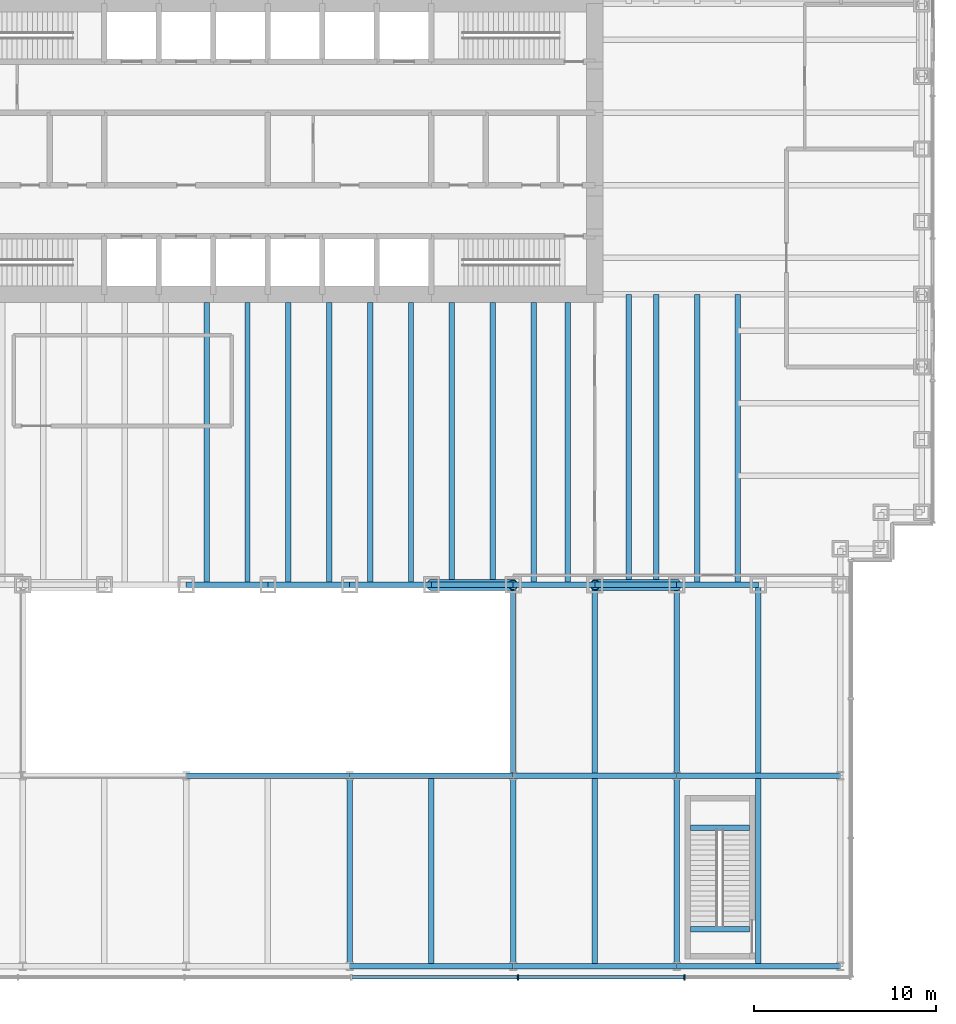
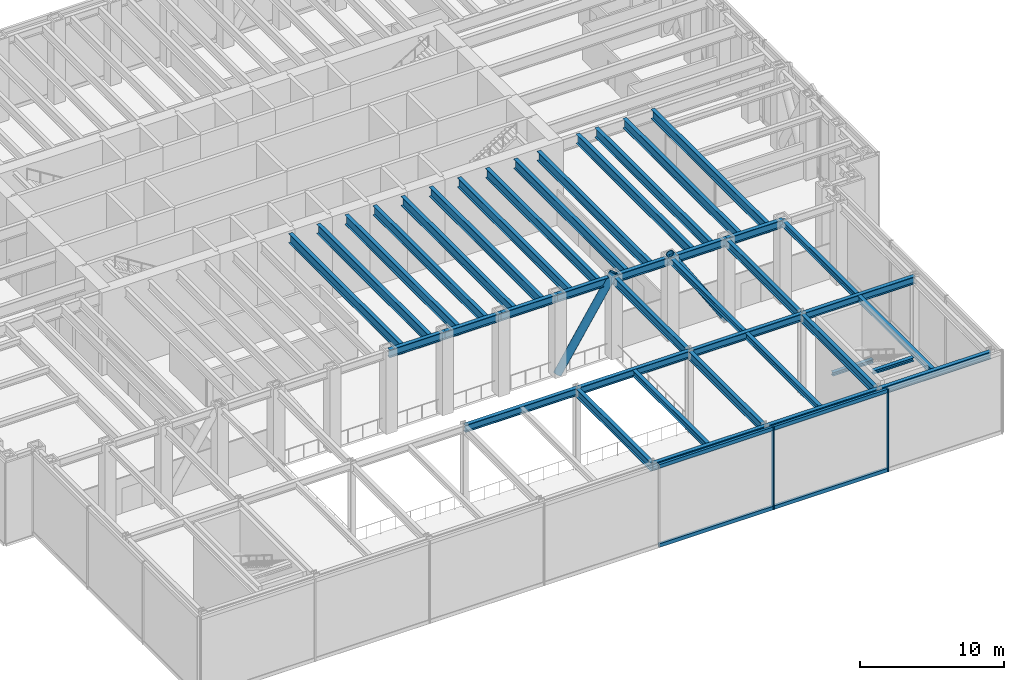
# One storey, part 4 of 17: 40 beams, 8 members, 1 element without a shape of its own.
"""IFC4 building model written with IfcOpenShell, lengths in metres."""

import ifcopenshell
import ifcopenshell.guid

model = None  # the IFC model being written
_history = None  # IfcOwnerHistory: only IFC2X3 demands one
_inside = {}  # id of a spatial element -> (the spatial element, [elements in it])
_under = {}  # id of a project, library or spatial element -> (it, [spatial elements below it])
_declared = {}  # id of a project -> (the project, [libraries it declares])
_typed = {}  # id of a type object -> (the type object, [elements of that type])
_made_of = {}  # id of a material, layer set ... -> (it, [elements and type objects made of it])


def new_model(schema):
    """Start an empty IFC model of exactly this schema.

    Asked for "IFC4X3", IfcOpenShell would pick the latest addendum, in which some entities
    have other attributes; the version numbers below select the first issue.
    IFC2X3 requires an IfcOwnerHistory on every rooted entity: one is made here for all.
    """
    global model, _history
    if schema == "IFC4X3":
        model = ifcopenshell.file(schema_version=(4, 3, 0, 0))
    else:
        model = ifcopenshell.file(schema=schema)
    _inside.clear()
    _under.clear()
    _declared.clear()
    _typed.clear()
    _made_of.clear()
    _history = None
    if model.schema == "IFC2X3":
        org = make("IfcOrganization", Name="unknown")
        user = make(
            "IfcPersonAndOrganization",
            ThePerson=make("IfcPerson", FamilyName="unknown"),
            TheOrganization=org,
        )
        app = make(
            "IfcApplication",
            ApplicationDeveloper=org,
            Version="unknown",
            ApplicationFullName="unknown",
            ApplicationIdentifier="unknown",
        )
        _history = make(
            "IfcOwnerHistory",
            OwningUser=user,
            OwningApplication=app,
            ChangeAction="ADDED",
            CreationDate=0,
        )
    return model


def make(cls, **values):
    """One entity of the class cls with the attributes given. An attribute that is None is left unset."""
    return model.create_entity(
        cls, **{name: value for name, value in values.items() if value is not None}
    )


def rooted(cls, **values):
    """An entity with a GlobalId (a new one), such as an element, a storey or a relation."""
    return make(cls, GlobalId=ifcopenshell.guid.new(), OwnerHistory=_history, **values)


def si_unit(unit_type, name, prefix=None):
    """IfcSIUnit, for example si_unit("LENGTHUNIT", "METRE", prefix="MILLI")."""
    return make("IfcSIUnit", UnitType=unit_type, Prefix=prefix, Name=name)


def assignment(units):
    """IfcUnitAssignment: the units of a project."""
    return None if units is None else make("IfcUnitAssignment", Units=units)


def point(xyz):
    """IfcCartesianPoint."""
    return None if xyz is None else make("IfcCartesianPoint", Coordinates=xyz)


def direction(xyz):
    """IfcDirection."""
    return None if xyz is None else make("IfcDirection", DirectionRatios=xyz)


def frame(location, z_axis=None, x_axis=None):
    """IfcAxis2Placement3D, a coordinate frame: its origin and axes. An axis left out is left unset."""
    return make(
        "IfcAxis2Placement3D",
        Location=point(location),
        Axis=direction(z_axis),
        RefDirection=direction(x_axis),
    )


def frame_2d(location, x_axis=None):
    """IfcAxis2Placement2D, a coordinate frame in the plane: its origin and x axis."""
    return make(
        "IfcAxis2Placement2D", Location=point(location), RefDirection=direction(x_axis)
    )


def origin():
    """The frame at (0, 0, 0) with its axes left unset."""
    return frame((0.0, 0.0, 0.0))


def origin_2d():
    """The frame at (0, 0) in the plane with its x axis left unset."""
    return frame_2d((0.0, 0.0))


def place(relative_to, where):
    """IfcLocalPlacement: puts the frame where relative to a parent placement (None: the world)."""
    return make(
        "IfcLocalPlacement", PlacementRelTo=relative_to, RelativePlacement=where
    )


def context(
    kind, dimensions, precision=None, world=None, true_north=None, identifier=None
):
    """IfcGeometricRepresentationContext, for example the 3D "Model" context."""
    return make(
        "IfcGeometricRepresentationContext",
        ContextIdentifier=identifier,
        ContextType=kind,
        CoordinateSpaceDimension=dimensions,
        Precision=precision,
        WorldCoordinateSystem=world,
        TrueNorth=true_north,
    )


def subcontext(parent, identifier, kind, view, scale=None):
    """IfcGeometricRepresentationSubContext, for example "Body" below "Model"."""
    return make(
        "IfcGeometricRepresentationSubContext",
        ContextIdentifier=identifier,
        ContextType=kind,
        ParentContext=parent,
        TargetScale=scale,
        TargetView=view,
    )


def project(units=None, contexts=None):
    """IfcProject with its units and contexts."""
    return rooted(
        "IfcProject",
        Name="project",
        RepresentationContexts=contexts,
        UnitsInContext=assignment(units),
    )


def spatial(cls, under=None, at=None, **own):
    """A site, building, storey or space (cls), placed at a placement, below another one or the project."""
    s = rooted(cls, ObjectPlacement=at, **own)
    if under is not None:
        _under.setdefault(under.id(), (under, []))[1].append(s)
    return s


def profile(cls, at=None, kind="AREA", **sizes):
    """A parametric profile (cls). Its sizes go by their IFC names, for example OverallWidth=200.0."""
    return make(cls, ProfileType=kind, Position=at, **sizes)


def rectangle(**sizes):
    """IfcRectangleProfileDef."""
    return profile("IfcRectangleProfileDef", **sizes)


def hollow_circle(**sizes):
    """IfcCircleHollowProfileDef."""
    return profile("IfcCircleHollowProfileDef", **sizes)


def i_section(**sizes):
    """IfcIShapeProfileDef."""
    return profile("IfcIShapeProfileDef", **sizes)


def extrude(swept, where, along, depth):
    """IfcExtrudedAreaSolid: the profile swept, set in the frame where, extruded along a direction by depth."""
    return make(
        "IfcExtrudedAreaSolid",
        SweptArea=swept,
        Position=where,
        ExtrudedDirection=direction(along),
        Depth=depth,
    )


def shape(context_of_items, identifier, shape_type, items):
    """IfcShapeRepresentation: the items that make up one representation, for example the "Body"."""
    return make(
        "IfcShapeRepresentation",
        ContextOfItems=context_of_items,
        RepresentationIdentifier=identifier,
        RepresentationType=shape_type,
        Items=items,
    )


def material(Name=None, Category=None):
    """IfcMaterial."""
    return make("IfcMaterial", Name=Name, Category=Category)


def material_profile(
    of_material, cross_section, Name=None, Category=None, Priority=None
):
    """IfcMaterialProfile: a cross section and its material."""
    return make(
        "IfcMaterialProfile",
        Name=Name,
        Material=of_material,
        Profile=cross_section,
        Priority=Priority,
        Category=Category,
    )


def profile_set(profiles, Name=None, composite=None):
    """IfcMaterialProfileSet."""
    return make(
        "IfcMaterialProfileSet",
        Name=Name,
        MaterialProfiles=profiles,
        CompositeProfile=composite,
    )


def made_of(thing, what):
    """Note that an element or type object is made of a material, layer set ...; save() writes the relation."""
    if what is not None:
        _made_of.setdefault(what.id(), (what, []))[1].append(thing)
    return thing


def type_object(cls, material=None, **own):
    """A type object (cls), such as IfcWallType, which elements share."""
    return made_of(rooted(cls, **own), material)


def element(
    cls,
    number,
    at=None,
    inside=None,
    cuts=None,
    type_object=None,
    material=None,
    context=None,
    identifier="Body",
    shape_type=None,
    held_by="IfcProductDefinitionShape",
    body=None,
    shapes=None,
    **own,
):
    """One element of the class cls, such as IfcWall. Its Tag is "e" and its number.

    at: its placement. inside: the storey or other place that contains it. cuts: it is an
    opening in that element (IfcRelVoidsElement). A single representation is given by context,
    identifier, shape_type and body (its items); several are given by shapes. held_by: the class
    of the entity that holds the representations. save() writes the other relations.
    """
    e = rooted(cls, Tag="e%d" % number, ObjectPlacement=at, **own)
    if body is not None:
        shapes = [shape(context, identifier, shape_type, body)]
    if shapes is not None:
        e.Representation = make(held_by, Representations=shapes)
    if inside is not None:
        _inside.setdefault(inside.id(), (inside, []))[1].append(e)
    if cuts is not None:
        rooted(
            "IfcRelVoidsElement", RelatingBuildingElement=cuts, RelatedOpeningElement=e
        )
    if type_object is not None:
        _typed.setdefault(type_object.id(), (type_object, []))[1].append(e)
    return made_of(e, material)


def aggregate(whole, parts):
    """IfcRelAggregates: a whole, such as a stair, and the parts it consists of."""
    return rooted("IfcRelAggregates", RelatingObject=whole, RelatedObjects=parts)


def save(model, path):
    """Write the relations noted so far, then the file.

    IfcRelAggregates (storeys below a building ...), IfcRelContainedInSpatialStructure (elements
    in a storey), IfcRelDefinesByType, IfcRelAssociatesMaterial and IfcRelDeclares: one each for
    every whole, place, type object, material and project.
    """
    for whole, parts in _under.values():
        aggregate(whole, parts)
    for where, things in _inside.values():
        rooted(
            "IfcRelContainedInSpatialStructure",
            RelatedElements=things,
            RelatingStructure=where,
        )
    for kind, things in _typed.values():
        rooted("IfcRelDefinesByType", RelatedObjects=things, RelatingType=kind)
    for what, things in _made_of.values():
        rooted("IfcRelAssociatesMaterial", RelatedObjects=things, RelatingMaterial=what)
    for by, libraries in _declared.values():
        rooted("IfcRelDeclares", RelatingContext=by, RelatedDefinitions=libraries)
    model.write(path)


model = new_model("IFC4")

# Units and contexts
model_context = context("Model", 3, precision=1e-05, world=origin(), true_north=direction((0.0, 1.0)))
body_context = subcontext(model_context, "Body", "Model", "MODEL_VIEW")
ifc_project = project(units=[si_unit("LENGTHUNIT", "METRE"), si_unit("AREAUNIT", "SQUARE_METRE"), si_unit("VOLUMEUNIT", "CUBIC_METRE"), si_unit("PLANEANGLEUNIT", "RADIAN"), si_unit("MASSUNIT", "GRAM", prefix="KILO")], contexts=[model_context])

# Site, building, storey
site_placement = place(None, origin())
site = spatial("IfcSite", under=ifc_project, at=site_placement, CompositionType="ELEMENT")
building_placement = place(site_placement, origin())
building = spatial("IfcBuilding", under=site, at=building_placement, Name="Rheinbord Bourse Tower", CompositionType="ELEMENT")
storey_placement = place(building_placement, frame((0.0, 0.0, 6.0)))
storey = spatial("IfcBuildingStorey", under=building, at=storey_placement, Name="L01", CompositionType="ELEMENT", Elevation=6.0)

# Curtain wall, members
ifc_material_1 = material(Name="Dark glass and black aluminium", Category="aluminium")
curtain_wall_type = type_object("IfcCurtainWallType", Name="CW4 DARK GLASS CURTAIN WALL", PredefinedType="USERDEFINED", material=ifc_material_1)
curtain_wall_placement = place(storey_placement, origin())
curtain_wall = element("IfcCurtainWall", 1, at=curtain_wall_placement, inside=storey, type_object=curtain_wall_type, Name="Curtain wall CW4 S L01", ObjectType="UNITISED CURTAIN WALL", PredefinedType="USERDEFINED")
ifc_material_2 = material(Name="Black anodised aluminium", Category="aluminium")
ifc_material_profile_1 = material_profile(ifc_material_2, rectangle(XDim=0.300048828125, YDim=0.090087890625, at=origin_2d()), Name="CW4 MULLION 90x300")
ifc_profile_set_1 = profile_set([ifc_material_profile_1], Name="Black anodised aluminium")
member_type_1 = type_object("IfcMemberType", Name="CW4 BLACK MULLION", PredefinedType="MULLION", material=ifc_profile_set_1)
member_1_placement = place(storey_placement, frame((49.757080078125, -21.60009765625, 0.0), z_axis=(0.0, 0.0, 1.0), x_axis=(0.0, 1.0, 0.0)))
member_1 = element("IfcMember", 2, at=member_1_placement, type_object=member_type_1, Name="CW4 mullion 6", PredefinedType="MULLION", context=body_context, shape_type="SweptSolid", body=[
    extrude(rectangle(XDim=0.300048828125, YDim=0.090087890625, at=origin_2d()), origin(), (0.0, 0.0, 1.0), 7.0),
])
member_2_placement = place(storey_placement, frame((58.928466796875, -21.60009765625, 0.0), z_axis=(0.0, 0.0, 1.0), x_axis=(0.0, 1.0, 0.0)))
member_2 = element("IfcMember", 3, at=member_2_placement, type_object=member_type_1, Name="CW4 mullion 7", PredefinedType="MULLION", context=body_context, shape_type="SweptSolid", body=[
    extrude(rectangle(XDim=0.300048828125, YDim=0.090087890625, at=origin_2d()), origin(), (0.0, 0.0, 1.0), 7.0),
])
ifc_material_3 = material(Name="Black anodised aluminium", Category="aluminium")
ifc_material_profile_2 = material_profile(ifc_material_3, rectangle(XDim=0.199951171875, YDim=0.300048828125, at=origin_2d()), Name="CW4 TRANSOM 300x200")
ifc_profile_set_2 = profile_set([ifc_material_profile_2], Name="Black anodised aluminium")
member_type_2 = type_object("IfcMemberType", Name="CW4 BLACK TRANSOM", PredefinedType="USERDEFINED", material=ifc_profile_set_2)
member_3_placement = place(storey_placement, frame((40.630615234375, -21.60009765625, 0.14990234375), z_axis=(1.0, 0.0, 0.0), x_axis=(0.0, 1.0, 0.0)))
member_3 = element("IfcMember", 4, at=member_3_placement, type_object=member_type_2, Name="CW4 transom 5.1", ObjectType="TRANSOM", PredefinedType="USERDEFINED", context=body_context, shape_type="SweptSolid", body=[
    extrude(rectangle(XDim=0.199951171875, YDim=0.300048828125, at=origin_2d()), origin(), (0.0, 0.0, 1.0), 9.08154296875),
])
member_4_placement = place(storey_placement, frame((40.630615234375, -21.60009765625, 6.85009765625), z_axis=(1.0, 0.0, 0.0), x_axis=(0.0, 1.0, 0.0)))
member_4 = element("IfcMember", 5, at=member_4_placement, type_object=member_type_2, Name="CW4 transom 5.2", ObjectType="TRANSOM", PredefinedType="USERDEFINED", context=body_context, shape_type="SweptSolid", body=[
    extrude(rectangle(XDim=0.199951171875, YDim=0.300048828125, at=origin_2d()), origin(), (0.0, 0.0, 1.0), 9.08154296875),
])
member_5_placement = place(storey_placement, frame((49.80224609375, -21.60009765625, 0.14990234375), z_axis=(1.0, 0.0, 0.0), x_axis=(0.0, 1.0, 0.0)))
member_5 = element("IfcMember", 6, at=member_5_placement, type_object=member_type_2, Name="CW4 transom 6.1", ObjectType="TRANSOM", PredefinedType="USERDEFINED", context=body_context, shape_type="SweptSolid", body=[
    extrude(rectangle(XDim=0.199951171875, YDim=0.300048828125, at=origin_2d()), origin(), (0.0, 0.0, 1.0), 9.081298828125),
])
member_6_placement = place(storey_placement, frame((49.80224609375, -21.60009765625, 6.85009765625), z_axis=(1.0, 0.0, 0.0), x_axis=(0.0, 1.0, 0.0)))
member_6 = element("IfcMember", 7, at=member_6_placement, type_object=member_type_2, Name="CW4 transom 6.2", ObjectType="TRANSOM", PredefinedType="USERDEFINED", context=body_context, shape_type="SweptSolid", body=[
    extrude(rectangle(XDim=0.199951171875, YDim=0.300048828125, at=origin_2d()), origin(), (0.0, 0.0, 1.0), 9.081298828125),
])
aggregate(curtain_wall, [member_1, member_2, member_3, member_4, member_5, member_6])

# Beams
ifc_material_4 = material(Name="Steel S460", Category="steel")
ifc_material_profile_3 = material_profile(ifc_material_4, i_section(OverallWidth=0.300048828125, OverallDepth=0.800048828125, WebThickness=0.017578125, FlangeThickness=0.032958984375, at=origin_2d()), Name="HEB 800")
ifc_profile_set_3 = profile_set([ifc_material_profile_3], Name="Steel S460")
beam_type_1 = type_object("IfcBeamType", Name="FLOOR BEAM HEB 800", PredefinedType="BEAM", material=ifc_profile_set_3)
for number, where, z_axis, x_axis, name in (
    (8, (32.625, 0.0, 6.419921875), (0.0, 1.0, 0.0), (-1.0, 0.0, 0.0), "Floor beam S-31.5a L02"),
    (9, (34.875, 0.0, 6.419921875), (0.0, 1.0, 0.0), (-1.0, 0.0, 0.0), "Floor beam S-31.5b L02"),
    (10, (37.125, 0.0, 6.419921875), (0.0, 1.0, 0.0), (-1.0, 0.0, 0.0), "Floor beam S-36a L02"),
    (11, (39.375, 0.0, 6.419921875), (0.0, 1.0, 0.0), (-1.0, 0.0, 0.0), "Floor beam S-36b L02"),
    (12, (41.625, 0.0, 6.419921875), (0.0, 1.0, 0.0), (-1.0, 0.0, 0.0), "Floor beam S-40.5a L02"),
    (13, (43.875, 0.0, 6.419921875), (0.0, 1.0, 0.0), (-1.0, 0.0, 0.0), "Floor beam S-40.5b L02"),
    (14, (46.125, 0.0, 6.419921875), (0.0, 1.0, 0.0), (-1.0, 0.0, 0.0), "Floor beam S-45a L02"),
    (15, (48.375, 0.0, 6.419921875), (0.0, 1.0, 0.0), (-1.0, 0.0, 0.0), "Floor beam S-45b L02"),
    (16, (50.625, 0.0, 6.419921875), (0.0, 1.0, 0.0), (-1.0, 0.0, 0.0), "Floor beam S-49.5a L02"),
    (17, (52.5, 0.0, 6.419921875), (0.0, 1.0, 0.0), (-1.0, 0.0, 0.0), "Floor beam S-49.5b L02"),
):
    element("IfcBeam", number, at=place(storey_placement, frame(where, z_axis=z_axis, x_axis=x_axis)), inside=storey, type_object=beam_type_1, Name=name, PredefinedType="BEAM", context=body_context, shape_type="SweptSolid", body=[
        extrude(i_section(OverallWidth=0.300048828125, OverallDepth=0.800048828125, WebThickness=0.017578125, FlangeThickness=0.032958984375, at=origin_2d()), origin(), (0.0, 0.0, 1.0), 15.550048828125),
    ])
for number, where, z_axis, x_axis, name in (
    (18, (55.875, 0.0, 6.419921875), (0.0, 1.0, 0.0), (-1.0, 0.0, 0.0), "Floor beam S-54a L02"),
    (19, (57.375, 0.0, 6.419921875), (0.0, 1.0, 0.0), (-1.0, 0.0, 0.0), "Floor beam S-54b L02"),
    (20, (59.625, 0.0, 6.419921875), (0.0, 1.0, 0.0), (-1.0, 0.0, 0.0), "Floor beam S-58.5a L02"),
    (21, (61.875, 0.0, 6.419921875), (0.0, 1.0, 0.0), (-1.0, 0.0, 0.0), "Floor beam S-58.5b L02"),
):
    element("IfcBeam", number, at=place(storey_placement, frame(where, z_axis=z_axis, x_axis=x_axis)), inside=storey, type_object=beam_type_1, Name=name, PredefinedType="BEAM", context=body_context, shape_type="SweptSolid", body=[
        extrude(i_section(OverallWidth=0.300048828125, OverallDepth=0.800048828125, WebThickness=0.017578125, FlangeThickness=0.032958984375, at=origin_2d()), origin(), (0.0, 0.0, 1.0), 16.0),
    ])
ifc_material_5 = material(Name="Steel S460", Category="steel")
ifc_material_profile_4 = material_profile(ifc_material_5, i_section(OverallWidth=0.300048828125, OverallDepth=0.300048828125, WebThickness=0.010986328125, FlangeThickness=0.01904296875, at=origin_2d()), Name="HEB 300")
ifc_profile_set_4 = profile_set([ifc_material_profile_4], Name="Steel S460")
beam_type_2 = type_object("IfcBeamType", Name="LANDING TRIMMER HEB 300", PredefinedType="BEAM", material=ifc_profile_set_4)
for number, where, z_axis, x_axis, name in (
    (22, (59.25, -13.3798828125, 3.14990234375), (1.0, 0.0, 0.0), (0.0, 1.0, 0.0), "Landing trimmer ST6 L01"),
    (23, (59.25, -18.949951171875, 6.669921875), (1.0, 0.0, 0.0), (0.0, 1.0, 0.0), "Well trimmer ST6 under L02"),
):
    element("IfcBeam", number, at=place(storey_placement, frame(where, z_axis=z_axis, x_axis=x_axis)), inside=storey, type_object=beam_type_2, Name=name, PredefinedType="BEAM", context=body_context, shape_type="SweptSolid", body=[
        extrude(i_section(OverallWidth=0.300048828125, OverallDepth=0.300048828125, WebThickness=0.010986328125, FlangeThickness=0.01904296875, at=origin_2d()), origin(), (0.0, 0.0, 1.0), 3.25),
    ])

# Members
ifc_material_6 = material(Name="Steel S460", Category="steel")
ifc_material_profile_5 = material_profile(ifc_material_6, hollow_circle(Radius=0.304931640625, WallThickness=0.050048828125, at=origin_2d()), Name="CHS 610x50")
ifc_profile_set_5 = profile_set([ifc_material_profile_5], Name="Steel S460")
member_type_3 = type_object("IfcMemberType", Name="MEGABRACE CHS 610x50", PredefinedType="BRACE", material=ifc_profile_set_5)
for number, where, z_axis, x_axis, name in (
    (24, (58.5, 0.0, 0.0), (-0.540757591313, 0.0, 0.841178475377), (0.0, -1.0, 0.0), "Megabrace S face line b L01"),
    (25, (45.0, 0.0, 0.0), (0.540757591313, 0.0, 0.841178475377), (0.0, 1.0, 0.0), "Megabrace S face line c L01"),
):
    element("IfcMember", number, at=place(storey_placement, frame(where, z_axis=z_axis, x_axis=x_axis)), inside=storey, type_object=member_type_3, Name=name, PredefinedType="BRACE", context=body_context, shape_type="SweptSolid", body=[
        extrude(hollow_circle(Radius=0.304931640625, WallThickness=0.050048828125, at=origin_2d()), origin(), (0.0, 0.0, 1.0), 8.32177734375),
    ])

# Beams
ifc_material_7 = material(Name="Steel S460", Category="steel")
ifc_material_profile_6 = material_profile(ifc_material_7, i_section(OverallWidth=0.304931640625, OverallDepth=0.6201171875, WebThickness=0.02099609375, FlangeThickness=0.0400390625, at=origin_2d()), Name="HEM 600")
ifc_profile_set_6 = profile_set([ifc_material_profile_6], Name="Steel S460")
beam_type_3 = type_object("IfcBeamType", Name="PODIUM EDGE BEAM HEM 600", PredefinedType="BEAM", material=ifc_profile_set_6)
for number, where, z_axis, x_axis, name in (
    (26, (31.5, -10.5, 6.510009765625), (1.0, 0.0, 0.0), (0.0, 1.0, 0.0), "Podium edge beam 31.5-40.5 L02"),
    (27, (40.5, -21.0, 6.510009765625), (1.0, 0.0, 0.0), (0.0, 1.0, 0.0), "Podium edge beam 40.5-49.5 L02"),
    (28, (40.5, -10.5, 6.510009765625), (1.0, 0.0, 0.0), (0.0, 1.0, 0.0), "Podium edge beam 40.5-49.5 L02"),
    (29, (49.5, -21.0, 6.510009765625), (1.0, 0.0, 0.0), (0.0, 1.0, 0.0), "Podium edge beam 49.5-58.5 L02"),
    (30, (49.5, -10.5, 6.510009765625), (1.0, 0.0, 0.0), (0.0, 1.0, 0.0), "Podium edge beam 49.5-58.5 L02"),
    (31, (58.5, -21.0, 6.510009765625), (1.0, 0.0, 0.0), (0.0, 1.0, 0.0), "Podium edge beam 58.5-67.5 L02"),
    (32, (58.5, -10.5, 6.510009765625), (1.0, 0.0, 0.0), (0.0, 1.0, 0.0), "Podium edge beam 58.5-67.5 L02"),
):
    element("IfcBeam", number, at=place(storey_placement, frame(where, z_axis=z_axis, x_axis=x_axis)), inside=storey, type_object=beam_type_3, Name=name, PredefinedType="BEAM", context=body_context, shape_type="SweptSolid", body=[
        extrude(i_section(OverallWidth=0.304931640625, OverallDepth=0.6201171875, WebThickness=0.02099609375, FlangeThickness=0.0400390625, at=origin_2d()), origin(), (0.0, 0.0, 1.0), 9.0),
    ])
ifc_material_8 = material(Name="Steel S460", Category="steel")
ifc_material_profile_7 = material_profile(ifc_material_8, i_section(OverallWidth=0.303955078125, OverallDepth=0.716064453125, WebThickness=0.02099609375, FlangeThickness=0.0400390625, at=origin_2d()), Name="HEM 700")
ifc_profile_set_7 = profile_set([ifc_material_profile_7], Name="Steel S460")
beam_type_4 = type_object("IfcBeamType", Name="PODIUM GIRDER HEM 700", PredefinedType="BEAM", material=ifc_profile_set_7)
for number, where, z_axis, x_axis, name in (
    (33, (40.5, -21.0, 6.4619140625), (0.0, 1.0, 0.0), (-1.0, 0.0, 0.0), "Podium girder 40.5 L02"),
    (34, (49.5, -21.0, 6.4619140625), (0.0, 1.0, 0.0), (-1.0, 0.0, 0.0), "Podium girder 49.5 L02"),
    (35, (49.5, -10.5, 6.4619140625), (0.0, 1.0, 0.0), (-1.0, 0.0, 0.0), "Podium girder 49.5 L02"),
    (36, (58.5, -21.0, 6.4619140625), (0.0, 1.0, 0.0), (-1.0, 0.0, 0.0), "Podium girder 58.5 L02"),
    (37, (58.5, -10.5, 6.4619140625), (0.0, 1.0, 0.0), (-1.0, 0.0, 0.0), "Podium girder 58.5 L02"),
):
    element("IfcBeam", number, at=place(storey_placement, frame(where, z_axis=z_axis, x_axis=x_axis)), inside=storey, type_object=beam_type_4, Name=name, PredefinedType="BEAM", context=body_context, shape_type="SweptSolid", body=[
        extrude(i_section(OverallWidth=0.303955078125, OverallDepth=0.716064453125, WebThickness=0.02099609375, FlangeThickness=0.0400390625, at=origin_2d()), origin(), (0.0, 0.0, 1.0), 10.5),
    ])
ifc_material_9 = material(Name="Steel S460", Category="steel")
ifc_material_profile_8 = material_profile(ifc_material_9, i_section(OverallWidth=0.300048828125, OverallDepth=0.5, WebThickness=0.014404296875, FlangeThickness=0.028076171875, at=origin_2d()), Name="HEB 500")
ifc_profile_set_8 = profile_set([ifc_material_profile_8], Name="Steel S460")
beam_type_5 = type_object("IfcBeamType", Name="PODIUM JOIST HEB 500", PredefinedType="JOIST", material=ifc_profile_set_8)
for number, where, z_axis, x_axis, name in (
    (38, (45.0, -21.0, 6.570068359375), (0.0, 1.0, 0.0), (-1.0, 0.0, 0.0), "Podium joist 45 L02"),
    (39, (54.0, -21.0, 6.570068359375), (0.0, 1.0, 0.0), (-1.0, 0.0, 0.0), "Podium joist 54 L02"),
    (40, (54.0, -10.347412109375, 6.570068359375), (0.0, 1.0, 0.0), (-1.0, 0.0, 0.0), "Podium joist 54 L02"),
    (41, (63.0, -21.0, 6.570068359375), (0.0, 1.0, 0.0), (-1.0, 0.0, 0.0), "Podium joist 63 L02"),
    (42, (63.0, -10.347412109375, 6.570068359375), (0.0, 1.0, 0.0), (-1.0, 0.0, 0.0), "Podium joist 63 L02"),
):
    element("IfcBeam", number, at=place(storey_placement, frame(where, z_axis=z_axis, x_axis=x_axis)), inside=storey, type_object=beam_type_5, Name=name, PredefinedType="JOIST", context=body_context, shape_type="SweptSolid", body=[
        extrude(i_section(OverallWidth=0.300048828125, OverallDepth=0.5, WebThickness=0.014404296875, FlangeThickness=0.028076171875, at=origin_2d()), origin(), (0.0, 0.0, 1.0), 10.347412109375),
    ])
ifc_material_10 = material(Name="Steel S460", Category="steel")
ifc_material_profile_9 = material_profile(ifc_material_10, i_section(OverallWidth=0.304931640625, OverallDepth=0.66796875, WebThickness=0.02099609375, FlangeThickness=0.0400390625, at=origin_2d()), Name="HEM 650")
ifc_profile_set_9 = profile_set([ifc_material_profile_9], Name="Steel S460")
beam_type_6 = type_object("IfcBeamType", Name="SPANDREL HEM 650", PredefinedType="SPANDREL", material=ifc_profile_set_9)
for number, where, z_axis, x_axis, name in (
    (43, (31.5, 0.0, 6.486083984375), (1.0, 0.0, 0.0), (0.0, 1.0, 0.0), "Spandrel S-31.5-S-36 under L02"),
    (44, (36.0, 0.0, 6.486083984375), (1.0, 0.0, 0.0), (0.0, 1.0, 0.0), "Spandrel S-36-S-40.5 under L02"),
    (45, (40.5, 0.0, 6.486083984375), (1.0, 0.0, 0.0), (0.0, 1.0, 0.0), "Spandrel S-40.5-S-45 under L02"),
    (46, (45.0, 0.0, 6.486083984375), (1.0, 0.0, 0.0), (0.0, 1.0, 0.0), "Spandrel S-45-S-49.5 under L02"),
    (47, (49.5, 0.0, 6.486083984375), (1.0, 0.0, 0.0), (0.0, 1.0, 0.0), "Spandrel S-49.5-S-54 under L02"),
    (48, (54.0, 0.0, 6.486083984375), (1.0, 0.0, 0.0), (0.0, 1.0, 0.0), "Spandrel S-54-S-58.5 under L02"),
    (49, (58.5, 0.0, 6.486083984375), (1.0, 0.0, 0.0), (0.0, 1.0, 0.0), "Spandrel S-58.5-S-63 under L02"),
):
    element("IfcBeam", number, at=place(storey_placement, frame(where, z_axis=z_axis, x_axis=x_axis)), inside=storey, type_object=beam_type_6, Name=name, PredefinedType="SPANDREL", context=body_context, shape_type="SweptSolid", body=[
        extrude(i_section(OverallWidth=0.304931640625, OverallDepth=0.66796875, WebThickness=0.02099609375, FlangeThickness=0.0400390625, at=origin_2d()), origin(), (0.0, 0.0, 1.0), 4.5),
    ])

save(model, "model.ifc")
